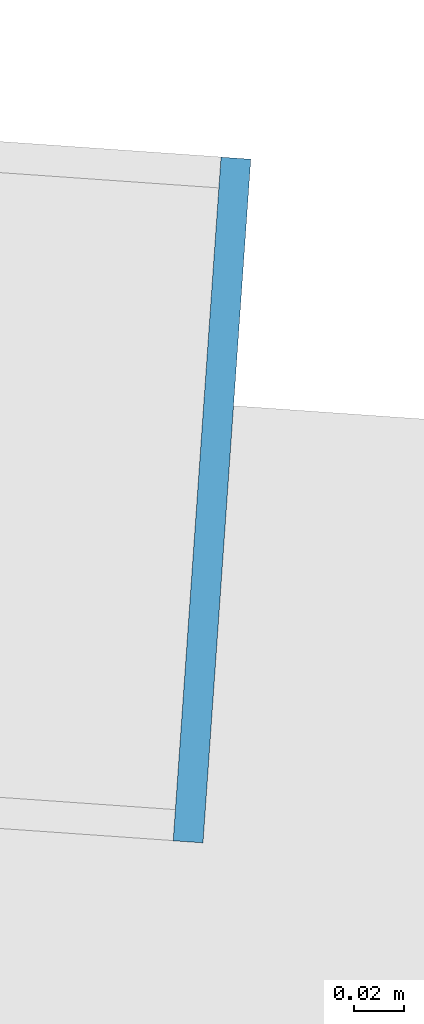
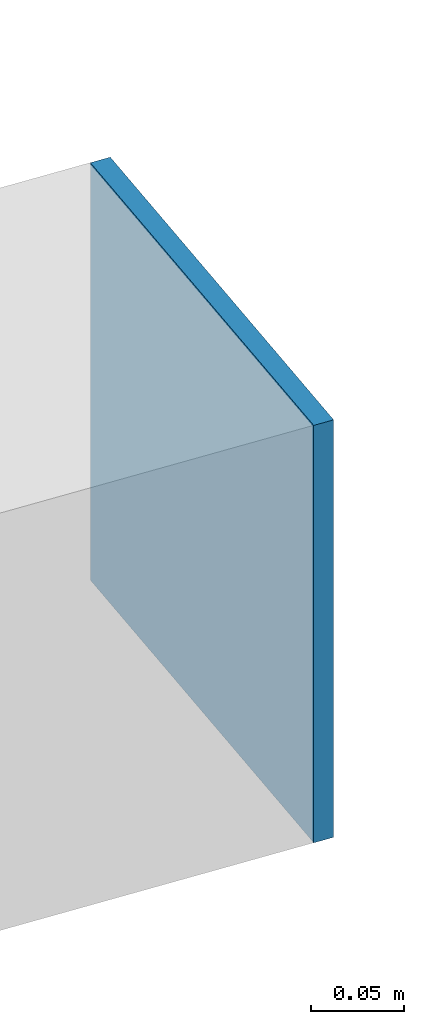
# One storey, part 31 of 39: 1 plate.
"""IFC4 building model written with IfcOpenShell, lengths in metres."""

from ifc_helpers import new_model, si_unit, direction, frame, origin, origin_2d, place, context, subcontext, project, spatial, rectangle, extrude, source, transform, mapped, material, layer, layer_set, type_object, element, save


model = new_model("IFC4")

# Units and contexts
model_context = context("Model", 3, precision=1e-05, world=origin(), true_north=direction((0.0, 1.0)))
body_context = subcontext(model_context, "Body", "Model", "MODEL_VIEW")
ifc_project = project(units=[si_unit("LENGTHUNIT", "METRE"), si_unit("AREAUNIT", "SQUARE_METRE"), si_unit("VOLUMEUNIT", "CUBIC_METRE"), si_unit("PLANEANGLEUNIT", "RADIAN"), si_unit("MASSUNIT", "GRAM", prefix="KILO")], contexts=[model_context])

# Site, building, storey
site_placement = place(None, origin())
site = spatial("IfcSite", under=ifc_project, at=site_placement, CompositionType="ELEMENT")
building_placement = place(site_placement, origin())
building = spatial("IfcBuilding", under=site, at=building_placement, Name="Taldren Reach Tower", CompositionType="ELEMENT")
storey_placement = place(building_placement, frame((0.0, 0.0, 120.39990234375)))
storey = spatial("IfcBuildingStorey", under=building, at=storey_placement, Name="L36", CompositionType="ELEMENT", Elevation=120.39990234375)

# Plate
ifc_material = material(Name="Steel Gr 450 (C450L0)", Category="steel")
ifc_layer = layer(ifc_material, 0.011962890625)
ifc_layer_set = layer_set([ifc_layer], Name="Steel Gr 450 (C450L0)")
plate_type = type_object("IfcPlateType", Name="PL-CAP-275", PredefinedType="SHEET", material=ifc_layer_set)
shared_shape = source(origin(), body_context, "Body", "SweptSolid", [
    extrude(rectangle(XDim=0.011962890625, YDim=0.27490234375, at=origin_2d()), origin(), (0.0, 0.0, 1.0), 0.27490234375),
])
plate_placement = place(storey_placement, frame((62.88330078125, 30.991943359375, 2.5126953125), z_axis=(0.0, 0.0, 1.0), x_axis=(0.99756405026, -0.069756473744, 0.0)))
element("IfcPlate", 1, at=plate_placement, inside=storey, type_object=plate_type, Name="Tie strut end cap plate B3-E3 L36", PredefinedType="SHEET", context=body_context, shape_type="MappedRepresentation", body=[
    mapped(shared_shape, transform((0.0, 0.0, 0.0), scale=1.0)),
])

save(model, "model.ifc")
